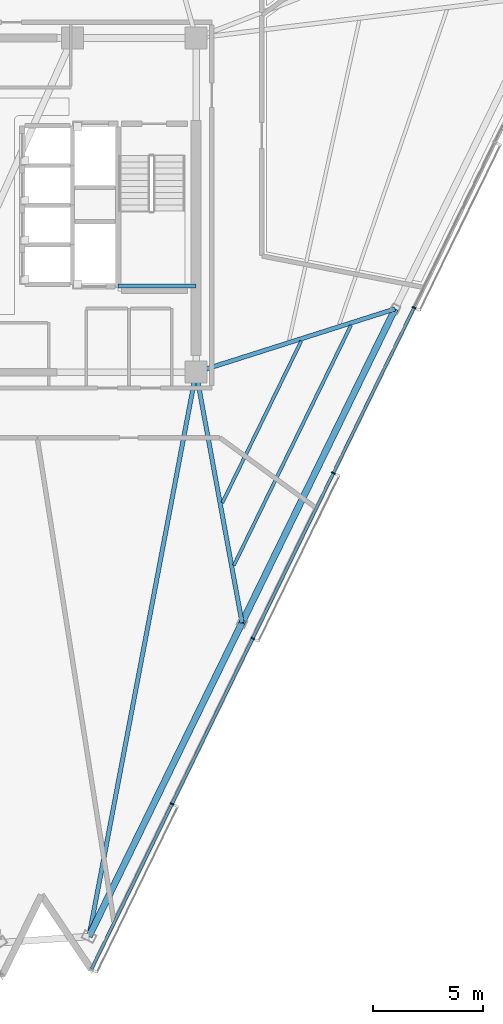
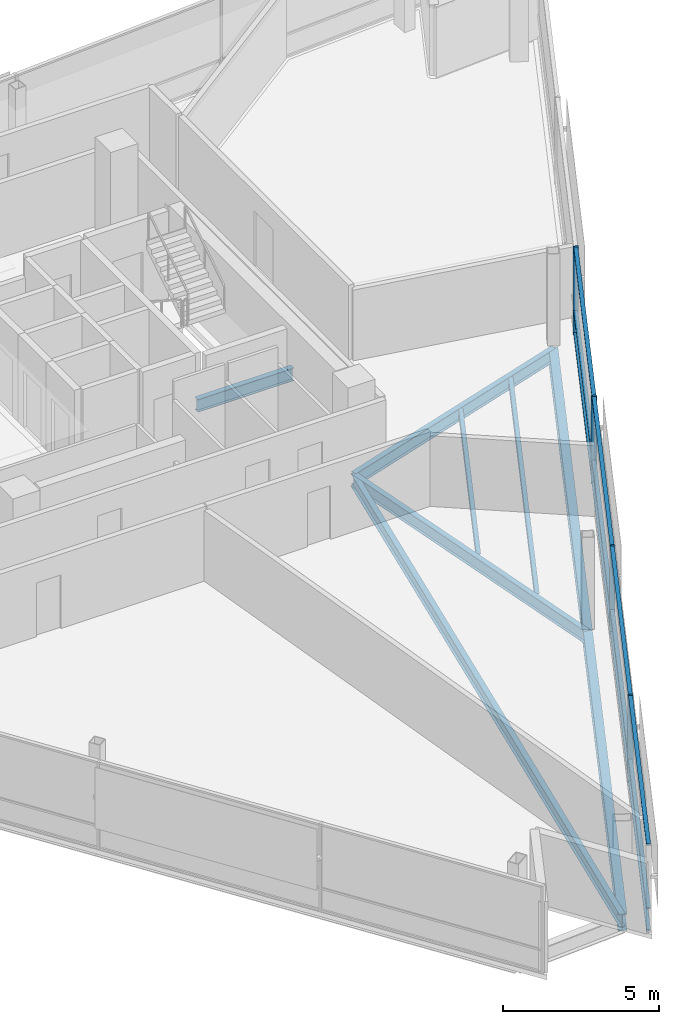
# One storey, part 4 of 15: 16 members, 8 beams, 1 element without a shape of its own.
"""IFC4 building model written with IfcOpenShell, lengths in metres."""

import ifcopenshell
import ifcopenshell.guid

model = None  # the IFC model being written
_history = None  # IfcOwnerHistory: only IFC2X3 demands one
_inside = {}  # id of a spatial element -> (the spatial element, [elements in it])
_under = {}  # id of a project, library or spatial element -> (it, [spatial elements below it])
_declared = {}  # id of a project -> (the project, [libraries it declares])
_typed = {}  # id of a type object -> (the type object, [elements of that type])
_made_of = {}  # id of a material, layer set ... -> (it, [elements and type objects made of it])


def new_model(schema):
    """Start an empty IFC model of exactly this schema.

    Asked for "IFC4X3", IfcOpenShell would pick the latest addendum, in which some entities
    have other attributes; the version numbers below select the first issue.
    IFC2X3 requires an IfcOwnerHistory on every rooted entity: one is made here for all.
    """
    global model, _history
    if schema == "IFC4X3":
        model = ifcopenshell.file(schema_version=(4, 3, 0, 0))
    else:
        model = ifcopenshell.file(schema=schema)
    _inside.clear()
    _under.clear()
    _declared.clear()
    _typed.clear()
    _made_of.clear()
    _history = None
    if model.schema == "IFC2X3":
        org = make("IfcOrganization", Name="unknown")
        user = make(
            "IfcPersonAndOrganization",
            ThePerson=make("IfcPerson", FamilyName="unknown"),
            TheOrganization=org,
        )
        app = make(
            "IfcApplication",
            ApplicationDeveloper=org,
            Version="unknown",
            ApplicationFullName="unknown",
            ApplicationIdentifier="unknown",
        )
        _history = make(
            "IfcOwnerHistory",
            OwningUser=user,
            OwningApplication=app,
            ChangeAction="ADDED",
            CreationDate=0,
        )
    return model


def make(cls, **values):
    """One entity of the class cls with the attributes given. An attribute that is None is left unset."""
    return model.create_entity(
        cls, **{name: value for name, value in values.items() if value is not None}
    )


def rooted(cls, **values):
    """An entity with a GlobalId (a new one), such as an element, a storey or a relation."""
    return make(cls, GlobalId=ifcopenshell.guid.new(), OwnerHistory=_history, **values)


def si_unit(unit_type, name, prefix=None):
    """IfcSIUnit, for example si_unit("LENGTHUNIT", "METRE", prefix="MILLI")."""
    return make("IfcSIUnit", UnitType=unit_type, Prefix=prefix, Name=name)


def assignment(units):
    """IfcUnitAssignment: the units of a project."""
    return None if units is None else make("IfcUnitAssignment", Units=units)


def point(xyz):
    """IfcCartesianPoint."""
    return None if xyz is None else make("IfcCartesianPoint", Coordinates=xyz)


def direction(xyz):
    """IfcDirection."""
    return None if xyz is None else make("IfcDirection", DirectionRatios=xyz)


def frame(location, z_axis=None, x_axis=None):
    """IfcAxis2Placement3D, a coordinate frame: its origin and axes. An axis left out is left unset."""
    return make(
        "IfcAxis2Placement3D",
        Location=point(location),
        Axis=direction(z_axis),
        RefDirection=direction(x_axis),
    )


def frame_2d(location, x_axis=None):
    """IfcAxis2Placement2D, a coordinate frame in the plane: its origin and x axis."""
    return make(
        "IfcAxis2Placement2D", Location=point(location), RefDirection=direction(x_axis)
    )


def origin():
    """The frame at (0, 0, 0) with its axes left unset."""
    return frame((0.0, 0.0, 0.0))


def origin_2d():
    """The frame at (0, 0) in the plane with its x axis left unset."""
    return frame_2d((0.0, 0.0))


def place(relative_to, where):
    """IfcLocalPlacement: puts the frame where relative to a parent placement (None: the world)."""
    return make(
        "IfcLocalPlacement", PlacementRelTo=relative_to, RelativePlacement=where
    )


def context(
    kind, dimensions, precision=None, world=None, true_north=None, identifier=None
):
    """IfcGeometricRepresentationContext, for example the 3D "Model" context."""
    return make(
        "IfcGeometricRepresentationContext",
        ContextIdentifier=identifier,
        ContextType=kind,
        CoordinateSpaceDimension=dimensions,
        Precision=precision,
        WorldCoordinateSystem=world,
        TrueNorth=true_north,
    )


def subcontext(parent, identifier, kind, view, scale=None):
    """IfcGeometricRepresentationSubContext, for example "Body" below "Model"."""
    return make(
        "IfcGeometricRepresentationSubContext",
        ContextIdentifier=identifier,
        ContextType=kind,
        ParentContext=parent,
        TargetScale=scale,
        TargetView=view,
    )


def project(units=None, contexts=None):
    """IfcProject with its units and contexts."""
    return rooted(
        "IfcProject",
        Name="project",
        RepresentationContexts=contexts,
        UnitsInContext=assignment(units),
    )


def spatial(cls, under=None, at=None, **own):
    """A site, building, storey or space (cls), placed at a placement, below another one or the project."""
    s = rooted(cls, ObjectPlacement=at, **own)
    if under is not None:
        _under.setdefault(under.id(), (under, []))[1].append(s)
    return s


def profile(cls, at=None, kind="AREA", **sizes):
    """A parametric profile (cls). Its sizes go by their IFC names, for example OverallWidth=200.0."""
    return make(cls, ProfileType=kind, Position=at, **sizes)


def rectangle(**sizes):
    """IfcRectangleProfileDef."""
    return profile("IfcRectangleProfileDef", **sizes)


def i_section(**sizes):
    """IfcIShapeProfileDef."""
    return profile("IfcIShapeProfileDef", **sizes)


def extrude(swept, where, along, depth):
    """IfcExtrudedAreaSolid: the profile swept, set in the frame where, extruded along a direction by depth."""
    return make(
        "IfcExtrudedAreaSolid",
        SweptArea=swept,
        Position=where,
        ExtrudedDirection=direction(along),
        Depth=depth,
    )


def shape(context_of_items, identifier, shape_type, items):
    """IfcShapeRepresentation: the items that make up one representation, for example the "Body"."""
    return make(
        "IfcShapeRepresentation",
        ContextOfItems=context_of_items,
        RepresentationIdentifier=identifier,
        RepresentationType=shape_type,
        Items=items,
    )


def material(Name=None, Category=None):
    """IfcMaterial."""
    return make("IfcMaterial", Name=Name, Category=Category)


def layer(
    of_material, thickness, ventilated=None, Name=None, Category=None, Priority=None
):
    """IfcMaterialLayer: one layer of a wall or slab, of a material (None: an air gap)."""
    return make(
        "IfcMaterialLayer",
        Material=of_material,
        LayerThickness=thickness,
        IsVentilated=ventilated,
        Name=Name,
        Category=Category,
        Priority=Priority,
    )


def layer_set(layers, Name=None):
    """IfcMaterialLayerSet."""
    return make("IfcMaterialLayerSet", MaterialLayers=layers, LayerSetName=Name)


def material_profile(
    of_material, cross_section, Name=None, Category=None, Priority=None
):
    """IfcMaterialProfile: a cross section and its material."""
    return make(
        "IfcMaterialProfile",
        Name=Name,
        Material=of_material,
        Profile=cross_section,
        Priority=Priority,
        Category=Category,
    )


def profile_set(profiles, Name=None, composite=None):
    """IfcMaterialProfileSet."""
    return make(
        "IfcMaterialProfileSet",
        Name=Name,
        MaterialProfiles=profiles,
        CompositeProfile=composite,
    )


def made_of(thing, what):
    """Note that an element or type object is made of a material, layer set ...; save() writes the relation."""
    if what is not None:
        _made_of.setdefault(what.id(), (what, []))[1].append(thing)
    return thing


def type_object(cls, material=None, **own):
    """A type object (cls), such as IfcWallType, which elements share."""
    return made_of(rooted(cls, **own), material)


def element(
    cls,
    number,
    at=None,
    inside=None,
    cuts=None,
    type_object=None,
    material=None,
    context=None,
    identifier="Body",
    shape_type=None,
    held_by="IfcProductDefinitionShape",
    body=None,
    shapes=None,
    **own,
):
    """One element of the class cls, such as IfcWall. Its Tag is "e" and its number.

    at: its placement. inside: the storey or other place that contains it. cuts: it is an
    opening in that element (IfcRelVoidsElement). A single representation is given by context,
    identifier, shape_type and body (its items); several are given by shapes. held_by: the class
    of the entity that holds the representations. save() writes the other relations.
    """
    e = rooted(cls, Tag="e%d" % number, ObjectPlacement=at, **own)
    if body is not None:
        shapes = [shape(context, identifier, shape_type, body)]
    if shapes is not None:
        e.Representation = make(held_by, Representations=shapes)
    if inside is not None:
        _inside.setdefault(inside.id(), (inside, []))[1].append(e)
    if cuts is not None:
        rooted(
            "IfcRelVoidsElement", RelatingBuildingElement=cuts, RelatedOpeningElement=e
        )
    if type_object is not None:
        _typed.setdefault(type_object.id(), (type_object, []))[1].append(e)
    return made_of(e, material)


def aggregate(whole, parts):
    """IfcRelAggregates: a whole, such as a stair, and the parts it consists of."""
    return rooted("IfcRelAggregates", RelatingObject=whole, RelatedObjects=parts)


def save(model, path):
    """Write the relations noted so far, then the file.

    IfcRelAggregates (storeys below a building ...), IfcRelContainedInSpatialStructure (elements
    in a storey), IfcRelDefinesByType, IfcRelAssociatesMaterial and IfcRelDeclares: one each for
    every whole, place, type object, material and project.
    """
    for whole, parts in _under.values():
        aggregate(whole, parts)
    for where, things in _inside.values():
        rooted(
            "IfcRelContainedInSpatialStructure",
            RelatedElements=things,
            RelatingStructure=where,
        )
    for kind, things in _typed.values():
        rooted("IfcRelDefinesByType", RelatedObjects=things, RelatingType=kind)
    for what, things in _made_of.values():
        rooted("IfcRelAssociatesMaterial", RelatedObjects=things, RelatingMaterial=what)
    for by, libraries in _declared.values():
        rooted("IfcRelDeclares", RelatingContext=by, RelatedDefinitions=libraries)
    model.write(path)


model = new_model("IFC4")

# Units and contexts
model_context = context("Model", 3, precision=1e-05, world=origin(), true_north=direction((0.0, 1.0)))
body_context = subcontext(model_context, "Body", "Model", "MODEL_VIEW")
ifc_project = project(units=[si_unit("LENGTHUNIT", "METRE"), si_unit("AREAUNIT", "SQUARE_METRE"), si_unit("VOLUMEUNIT", "CUBIC_METRE"), si_unit("PLANEANGLEUNIT", "RADIAN"), si_unit("MASSUNIT", "GRAM", prefix="KILO")], contexts=[model_context])

# Site, building, storey
site_placement = place(None, origin())
site = spatial("IfcSite", under=ifc_project, at=site_placement, CompositionType="ELEMENT")
building_placement = place(site_placement, origin())
building = spatial("IfcBuilding", under=site, at=building_placement, Name="Tharavind Bronze Gate", CompositionType="ELEMENT")
storey_placement = place(building_placement, frame((0.0, 0.0, 267.800048828125)))
storey = spatial("IfcBuildingStorey", under=building, at=storey_placement, Name="L69", CompositionType="ELEMENT", Elevation=267.800048828125)

# Curtain wall, members
ifc_material_1 = material(Name="Anodised Bronze Aluminium", Category="aluminium")
ifc_layer = layer(ifc_material_1, 0.219970703125)
ifc_layer_set = layer_set([ifc_layer], Name="Anodised Bronze Aluminium")
curtain_wall_type = type_object("IfcCurtainWallType", Name="UNITISED CURTAIN WALL UPPER OFFICE", PredefinedType="USERDEFINED", material=ifc_layer_set)
curtain_wall_placement = place(storey_placement, origin())
curtain_wall = element("IfcCurtainWall", 1, at=curtain_wall_placement, inside=storey, type_object=curtain_wall_type, Name="L69 unitised curtain wall upper office CW-L69-S2", ObjectType="UNITISED CURTAIN WALL", PredefinedType="USERDEFINED")
member_type_1 = type_object("IfcMemberType", Name="CURTAIN WALL BRONZE MULLION 65X180", PredefinedType="MULLION", material=ifc_material_1)
member_1_placement = place(storey_placement, frame((7.80419921875, -27.236572265625, 0.0), z_axis=(0.0, 0.0, 1.0), x_axis=(0.43837271548, 0.898793281196, 0.0)))
member_1 = element("IfcMember", 2, at=member_1_placement, type_object=member_type_1, Name="CW-L69-S2 mullion 2", PredefinedType="MULLION", context=body_context, shape_type="SweptSolid", body=[
    extrude(rectangle(XDim=0.06494140625, YDim=0.179931640625, at=origin_2d()), origin(), (0.0, 0.0, 1.0), 3.419921875),
])
member_2_placement = place(storey_placement, frame((11.474365234375, -19.711669921875, 0.0), z_axis=(0.0, 0.0, 1.0), x_axis=(0.43837271548, 0.898793281196, 0.0)))
member_2 = element("IfcMember", 3, at=member_2_placement, type_object=member_type_1, Name="CW-L69-S2 mullion 3", PredefinedType="MULLION", context=body_context, shape_type="SweptSolid", body=[
    extrude(rectangle(XDim=0.06494140625, YDim=0.179931640625, at=origin_2d()), origin(), (0.0, 0.0, 1.0), 3.419921875),
])
member_3_placement = place(storey_placement, frame((15.144775390625, -12.1865234375, 0.0), z_axis=(0.0, 0.0, 1.0), x_axis=(0.43837271548, 0.898793281196, 0.0)))
member_3 = element("IfcMember", 4, at=member_3_placement, type_object=member_type_1, Name="CW-L69-S2 mullion 4", PredefinedType="MULLION", context=body_context, shape_type="SweptSolid", body=[
    extrude(rectangle(XDim=0.06494140625, YDim=0.179931640625, at=origin_2d()), origin(), (0.0, 0.0, 1.0), 3.419921875),
])
member_4_placement = place(storey_placement, frame((18.81494140625, -4.66162109375, 0.0), z_axis=(0.0, 0.0, 1.0), x_axis=(0.43837271548, 0.898793281196, 0.0)))
member_4 = element("IfcMember", 5, at=member_4_placement, type_object=member_type_1, Name="CW-L69-S2 mullion 5", PredefinedType="MULLION", context=body_context, shape_type="SweptSolid", body=[
    extrude(rectangle(XDim=0.06494140625, YDim=0.179931640625, at=origin_2d()), origin(), (0.0, 0.0, 1.0), 3.419921875),
])
member_type_2 = type_object("IfcMemberType", Name="CURTAIN WALL BRONZE TRANSOM 65X140", PredefinedType="USERDEFINED", material=ifc_material_1)
member_5_placement = place(storey_placement, frame((5.968994140625, -30.9990234375, 0.0), z_axis=(0.0, 0.0, 1.0), x_axis=(0.43837271548, 0.898793281196, 0.0)))
member_5 = element("IfcMember", 6, at=member_5_placement, type_object=member_type_2, Name="CW-L69-S2 transom TB1", ObjectType="TRANSOM", PredefinedType="USERDEFINED", context=body_context, shape_type="SweptSolid", body=[
    extrude(rectangle(XDim=8.3193359375, YDim=0.139892578125, at=origin_2d()), origin(), (0.0, 0.0, 1.0), 0.06494140625),
])
member_6_placement = place(storey_placement, frame((5.968994140625, -30.9990234375, 0.867431640625), z_axis=(0.0, 0.0, 1.0), x_axis=(0.43837271548, 0.898793281196, 0.0)))
member_6 = element("IfcMember", 7, at=member_6_placement, type_object=member_type_2, Name="CW-L69-S2 transom TS1", ObjectType="TRANSOM", PredefinedType="USERDEFINED", context=body_context, shape_type="SweptSolid", body=[
    extrude(rectangle(XDim=8.3193359375, YDim=0.139892578125, at=origin_2d()), origin(), (0.0, 0.0, 1.0), 0.06494140625),
])
member_7_placement = place(storey_placement, frame((5.968994140625, -30.9990234375, 3.35498046875), z_axis=(0.0, 0.0, 1.0), x_axis=(0.43837271548, 0.898793281196, 0.0)))
member_7 = element("IfcMember", 8, at=member_7_placement, type_object=member_type_2, Name="CW-L69-S2 transom TT1", ObjectType="TRANSOM", PredefinedType="USERDEFINED", context=body_context, shape_type="SweptSolid", body=[
    extrude(rectangle(XDim=8.3193359375, YDim=0.139892578125, at=origin_2d()), origin(), (0.0, 0.0, 1.0), 0.06494140625),
])
member_8_placement = place(storey_placement, frame((9.639404296875, -23.47412109375, 0.0), z_axis=(0.0, 0.0, 1.0), x_axis=(0.43837271548, 0.898793281196, 0.0)))
member_8 = element("IfcMember", 9, at=member_8_placement, type_object=member_type_2, Name="CW-L69-S2 transom TB2", ObjectType="TRANSOM", PredefinedType="USERDEFINED", context=body_context, shape_type="SweptSolid", body=[
    extrude(rectangle(XDim=8.3193359375, YDim=0.139892578125, at=origin_2d()), origin(), (0.0, 0.0, 1.0), 0.06494140625),
])
member_9_placement = place(storey_placement, frame((9.639404296875, -23.47412109375, 0.867431640625), z_axis=(0.0, 0.0, 1.0), x_axis=(0.43837271548, 0.898793281196, 0.0)))
member_9 = element("IfcMember", 10, at=member_9_placement, type_object=member_type_2, Name="CW-L69-S2 transom TS2", ObjectType="TRANSOM", PredefinedType="USERDEFINED", context=body_context, shape_type="SweptSolid", body=[
    extrude(rectangle(XDim=8.3193359375, YDim=0.139892578125, at=origin_2d()), origin(), (0.0, 0.0, 1.0), 0.06494140625),
])
member_10_placement = place(storey_placement, frame((9.639404296875, -23.47412109375, 3.35498046875), z_axis=(0.0, 0.0, 1.0), x_axis=(0.43837271548, 0.898793281196, 0.0)))
member_10 = element("IfcMember", 11, at=member_10_placement, type_object=member_type_2, Name="CW-L69-S2 transom TT2", ObjectType="TRANSOM", PredefinedType="USERDEFINED", context=body_context, shape_type="SweptSolid", body=[
    extrude(rectangle(XDim=8.3193359375, YDim=0.139892578125, at=origin_2d()), origin(), (0.0, 0.0, 1.0), 0.06494140625),
])
member_11_placement = place(storey_placement, frame((13.3095703125, -15.94921875, 0.0), z_axis=(0.0, 0.0, 1.0), x_axis=(0.43837271548, 0.898793281196, 0.0)))
member_11 = element("IfcMember", 12, at=member_11_placement, type_object=member_type_2, Name="CW-L69-S2 transom TB3", ObjectType="TRANSOM", PredefinedType="USERDEFINED", context=body_context, shape_type="SweptSolid", body=[
    extrude(rectangle(XDim=8.3193359375, YDim=0.139892578125, at=origin_2d()), origin(), (0.0, 0.0, 1.0), 0.06494140625),
])
member_12_placement = place(storey_placement, frame((13.3095703125, -15.94921875, 0.867431640625), z_axis=(0.0, 0.0, 1.0), x_axis=(0.43837271548, 0.898793281196, 0.0)))
member_12 = element("IfcMember", 13, at=member_12_placement, type_object=member_type_2, Name="CW-L69-S2 transom TS3", ObjectType="TRANSOM", PredefinedType="USERDEFINED", context=body_context, shape_type="SweptSolid", body=[
    extrude(rectangle(XDim=8.3193359375, YDim=0.139892578125, at=origin_2d()), origin(), (0.0, 0.0, 1.0), 0.06494140625),
])
member_13_placement = place(storey_placement, frame((13.3095703125, -15.94921875, 3.35498046875), z_axis=(0.0, 0.0, 1.0), x_axis=(0.43837271548, 0.898793281196, 0.0)))
member_13 = element("IfcMember", 14, at=member_13_placement, type_object=member_type_2, Name="CW-L69-S2 transom TT3", ObjectType="TRANSOM", PredefinedType="USERDEFINED", context=body_context, shape_type="SweptSolid", body=[
    extrude(rectangle(XDim=8.3193359375, YDim=0.139892578125, at=origin_2d()), origin(), (0.0, 0.0, 1.0), 0.06494140625),
])
member_14_placement = place(storey_placement, frame((16.979736328125, -8.424072265625, 0.0), z_axis=(0.0, 0.0, 1.0), x_axis=(0.43837271548, 0.898793281196, 0.0)))
member_14 = element("IfcMember", 15, at=member_14_placement, type_object=member_type_2, Name="CW-L69-S2 transom TB4", ObjectType="TRANSOM", PredefinedType="USERDEFINED", context=body_context, shape_type="SweptSolid", body=[
    extrude(rectangle(XDim=8.3193359375, YDim=0.139892578125, at=origin_2d()), origin(), (0.0, 0.0, 1.0), 0.06494140625),
])
member_15_placement = place(storey_placement, frame((16.979736328125, -8.424072265625, 0.867431640625), z_axis=(0.0, 0.0, 1.0), x_axis=(0.43837271548, 0.898793281196, 0.0)))
member_15 = element("IfcMember", 16, at=member_15_placement, type_object=member_type_2, Name="CW-L69-S2 transom TS4", ObjectType="TRANSOM", PredefinedType="USERDEFINED", context=body_context, shape_type="SweptSolid", body=[
    extrude(rectangle(XDim=8.3193359375, YDim=0.139892578125, at=origin_2d()), origin(), (0.0, 0.0, 1.0), 0.06494140625),
])
member_16_placement = place(storey_placement, frame((16.979736328125, -8.424072265625, 3.35498046875), z_axis=(0.0, 0.0, 1.0), x_axis=(0.43837271548, 0.898793281196, 0.0)))
member_16 = element("IfcMember", 17, at=member_16_placement, type_object=member_type_2, Name="CW-L69-S2 transom TT4", ObjectType="TRANSOM", PredefinedType="USERDEFINED", context=body_context, shape_type="SweptSolid", body=[
    extrude(rectangle(XDim=8.3193359375, YDim=0.139892578125, at=origin_2d()), origin(), (0.0, 0.0, 1.0), 0.06494140625),
])
aggregate(curtain_wall, [member_1, member_2, member_3, member_4, member_5, member_6, member_7, member_8, member_9, member_10, member_11, member_12, member_13, member_14, member_15, member_16])

# Beams
ifc_material_2 = material(Name="Steel S355", Category="steel")
ifc_material_profile_1 = material_profile(ifc_material_2, i_section(OverallWidth=0.300048828125, OverallDepth=0.64990234375, WebThickness=0.01611328125, FlangeThickness=0.031005859375, at=origin_2d()), Name="HE650B")
ifc_profile_set_1 = profile_set([ifc_material_profile_1], Name="Steel S355")
beam_type_1 = type_object("IfcBeamType", Name="PRIMARY GIRDER HE650B", PredefinedType="USERDEFINED", material=ifc_profile_set_1)
for number, where, z_axis, x_axis, name in (
    (18, (4.029296875, -33.26513671875, -0.505126953125), (0.43838485681, 0.898787359346, 0.0), (-0.898787359346, 0.43838485681, 0.0), "L69 primary girder he650b BM-L69-PRG05"),
    (19, (10.990234375, -18.99365234375, -0.505126953125), (0.438366378116, 0.898796372121, 0.0), (-0.898796372121, 0.438366378116, 0.0), "L69 primary girder he650b BM-L69-PRG06"),
):
    element("IfcBeam", number, at=place(storey_placement, frame(where, z_axis=z_axis, x_axis=x_axis)), inside=storey, type_object=beam_type_1, Name=name, ObjectType="GIRDER", PredefinedType="USERDEFINED", context=body_context, shape_type="SweptSolid", body=[
        extrude(i_section(OverallWidth=0.300048828125, OverallDepth=0.64990234375, WebThickness=0.01611328125, FlangeThickness=0.031005859375, at=origin_2d()), origin(), (0.0, 0.0, 1.0), 15.878662109375),
    ])
ifc_material_profile_2 = material_profile(ifc_material_2, i_section(OverallWidth=0.199951171875, OverallDepth=0.5, WebThickness=0.01025390625, FlangeThickness=0.01611328125, at=origin_2d()), Name="IPE500")
ifc_profile_set_2 = profile_set([ifc_material_profile_2], Name="Steel S355")
beam_type_2 = type_object("IfcBeamType", Name="PRIMARY GIRDER IPE500", PredefinedType="USERDEFINED", material=ifc_profile_set_2)
beam_1_placement = place(storey_placement, frame((5.35009765625, -3.679931640625, 1.349853515625), z_axis=(1.0, 0.0, 0.0), x_axis=(0.0, 1.0, 0.0)))
element("IfcBeam", 20, at=beam_1_placement, inside=storey, type_object=beam_type_2, Name="L69 primary girder ipe500 BM-LD-ST2-L69-1", ObjectType="GIRDER", PredefinedType="USERDEFINED", context=body_context, shape_type="SweptSolid", body=[
    extrude(i_section(OverallWidth=0.199951171875, OverallDepth=0.5, WebThickness=0.01025390625, FlangeThickness=0.01611328125, at=origin_2d()), origin(), (0.0, 0.0, 1.0), 3.5498046875),
])
beam_2_placement = place(storey_placement, frame((4.029296875, -33.26513671875, -0.429931640625), z_axis=(0.186448126873, 0.982464806487, 0.0), x_axis=(-0.982464806487, 0.186448126873, 0.0)))
element("IfcBeam", 21, at=beam_2_placement, inside=storey, type_object=beam_type_2, Name="L69 primary girder ipe500 BM-L69-RAD05", ObjectType="GIRDER", PredefinedType="USERDEFINED", context=body_context, shape_type="SweptSolid", body=[
    extrude(i_section(OverallWidth=0.199951171875, OverallDepth=0.5, WebThickness=0.01025390625, FlangeThickness=0.01611328125, at=origin_2d()), origin(), (0.0, 0.0, 1.0), 26.123046875),
])
beam_3_placement = place(storey_placement, frame((10.990234375, -18.99365234375, -0.429931640625), z_axis=(-0.180454290484, 0.98358337168, 0.0), x_axis=(-0.98358337168, -0.180454290484, 0.0)))
element("IfcBeam", 22, at=beam_3_placement, inside=storey, type_object=beam_type_2, Name="L69 primary girder ipe500 BM-L69-RAD06", ObjectType="GIRDER", PredefinedType="USERDEFINED", context=body_context, shape_type="SweptSolid", body=[
    extrude(i_section(OverallWidth=0.199951171875, OverallDepth=0.5, WebThickness=0.01025390625, FlangeThickness=0.01611328125, at=origin_2d()), origin(), (0.0, 0.0, 1.0), 11.583740234375),
])
beam_4_placement = place(storey_placement, frame((17.950927734375, -4.721923828125, -0.429931640625), z_axis=(-0.952977418186, -0.303041318021, 0.0), x_axis=(0.303041318021, -0.952977418186, 0.0)))
element("IfcBeam", 23, at=beam_4_placement, inside=storey, type_object=beam_type_2, Name="L69 primary girder ipe500 BM-L69-RAD07", ObjectType="GIRDER", PredefinedType="USERDEFINED", context=body_context, shape_type="SweptSolid", body=[
    extrude(i_section(OverallWidth=0.199951171875, OverallDepth=0.5, WebThickness=0.01025390625, FlangeThickness=0.01611328125, at=origin_2d()), origin(), (0.0, 0.0, 1.0), 9.49755859375),
])
ifc_material_profile_3 = material_profile(ifc_material_2, i_section(OverallWidth=0.14990234375, OverallDepth=0.300048828125, WebThickness=0.007080078125, FlangeThickness=0.0107421875, at=origin_2d()), Name="IPE300")
ifc_profile_set_3 = profile_set([ifc_material_profile_3], Name="Steel S355")
beam_type_3 = type_object("IfcBeamType", Name="SECONDARY FLOOR JOIST IPE300", PredefinedType="JOIST", material=ifc_profile_set_3)
beam_5_placement = place(storey_placement, frame((10.093994140625, -13.54052734375, -0.330078125), z_axis=(0.438357774769, 0.898800568146, 0.0), x_axis=(-0.898800568146, 0.438357774769, 0.0)))
element("IfcBeam", 24, at=beam_5_placement, inside=storey, type_object=beam_type_3, Name="L69 secondary floor joist ipe300 BM-L69-JSTA06", PredefinedType="JOIST", context=body_context, shape_type="SweptSolid", body=[
    extrude(i_section(OverallWidth=0.14990234375, OverallDepth=0.300048828125, WebThickness=0.007080078125, FlangeThickness=0.0107421875, at=origin_2d()), origin(), (0.0, 0.0, 1.0), 8.180419921875),
])
beam_6_placement = place(storey_placement, frame((10.616455078125, -16.388916015625, -0.330078125), z_axis=(0.438366623032, 0.898796252669, 0.0), x_axis=(-0.898796252669, 0.438366623032, 0.0)))
element("IfcBeam", 25, at=beam_6_placement, inside=storey, type_object=beam_type_3, Name="L69 secondary floor joist ipe300 BM-L69-JSTB06", PredefinedType="JOIST", context=body_context, shape_type="SweptSolid", body=[
    extrude(i_section(OverallWidth=0.14990234375, OverallDepth=0.300048828125, WebThickness=0.007080078125, FlangeThickness=0.0107421875, at=origin_2d()), origin(), (0.0, 0.0, 1.0), 12.150146484375),
])

save(model, "model.ifc")
